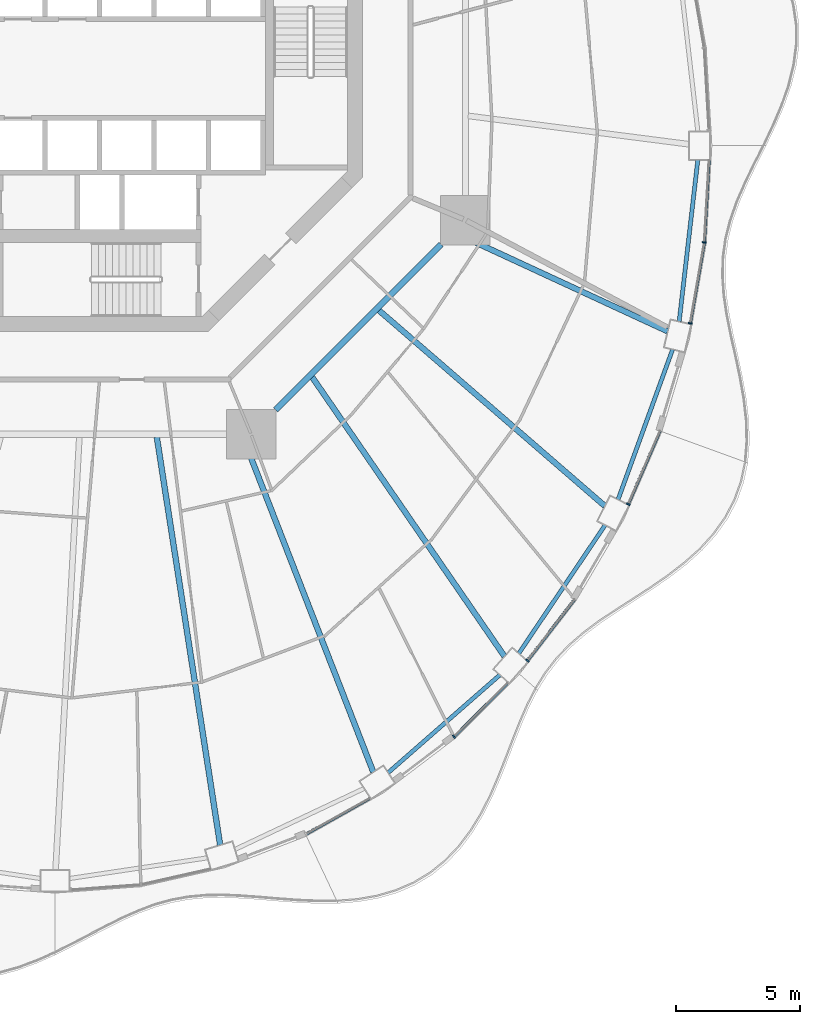
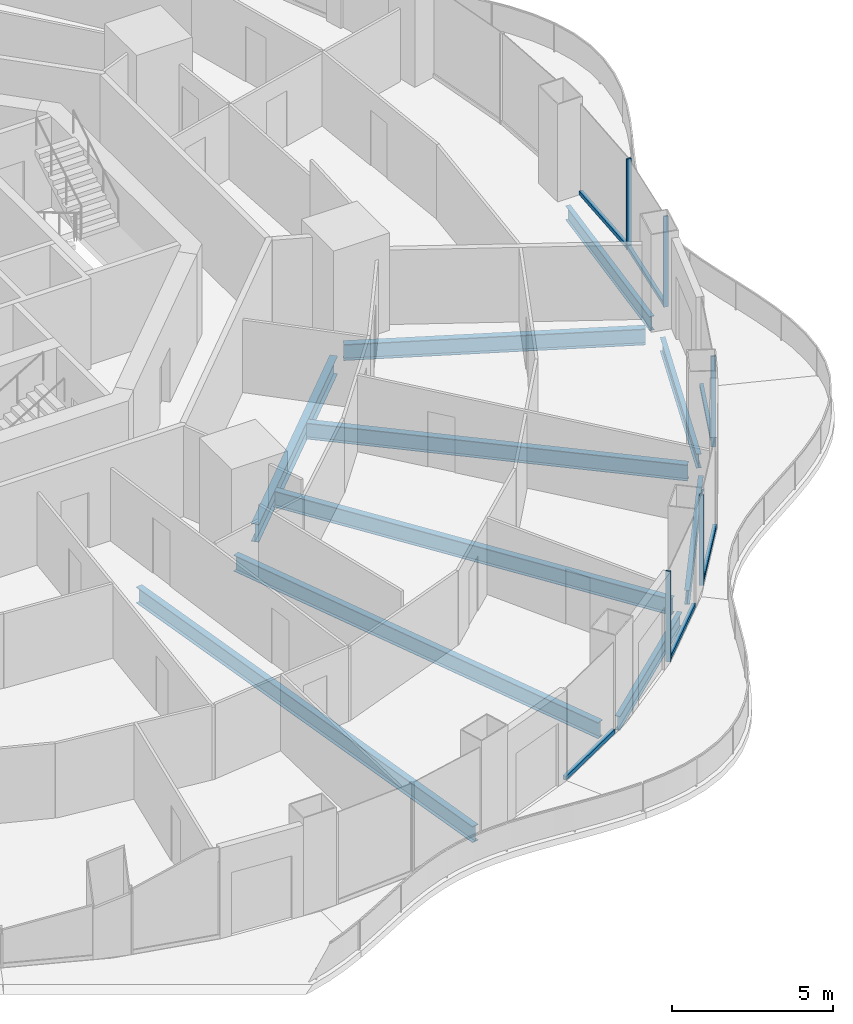
# One storey, part 5 of 20: 11 members, 10 beams, 6 elements without a shape of their own.
"""IFC4 building model written with IfcOpenShell, lengths in metres."""

from ifc_helpers import new_model, si_unit, direction, frame, origin, origin_2d, place, context, subcontext, project, spatial, rectangle, i_section, extrude, material, layer, layer_set, material_profile, profile_set, type_object, element, aggregate, save


model = new_model("IFC4")

# Units and contexts
model_context = context("Model", 3, precision=1e-05, world=origin(), true_north=direction((0.0, 1.0)))
body_context = subcontext(model_context, "Body", "Model", "MODEL_VIEW")
ifc_project = project(units=[si_unit("LENGTHUNIT", "METRE"), si_unit("AREAUNIT", "SQUARE_METRE"), si_unit("VOLUMEUNIT", "CUBIC_METRE"), si_unit("PLANEANGLEUNIT", "RADIAN"), si_unit("MASSUNIT", "GRAM", prefix="KILO")], contexts=[model_context])

# Site, building, storey
site_placement = place(None, origin())
site = spatial("IfcSite", under=ifc_project, at=site_placement, CompositionType="ELEMENT")
building_placement = place(site_placement, origin())
building = spatial("IfcBuilding", under=site, at=building_placement, Name="Nagisa Residences", CompositionType="ELEMENT")
storey_placement = place(building_placement, frame((0.0, 0.0, 141.800048828125)))
storey = spatial("IfcBuildingStorey", under=building, at=storey_placement, Name="L35", CompositionType="ELEMENT", Elevation=141.800048828125)

# Curtain wall, member
ifc_material_1 = material(Name="Concrete-coloured aluminium curtain wall system", Category="concrete")
ifc_layer = layer(ifc_material_1, 0.159912109375)
ifc_layer_set = layer_set([ifc_layer], Name="CW1 CURTAIN WALL")
curtain_wall_type = type_object("IfcCurtainWallType", Name="CW1 CURTAIN WALL", PredefinedType="NOTDEFINED", material=ifc_layer_set)
curtain_wall_1_placement = place(storey_placement, origin())
curtain_wall_1 = element("IfcCurtainWall", 1, at=curtain_wall_1_placement, inside=storey, type_object=curtain_wall_type, Name="cw:CW1:L35:41", PredefinedType="NOTDEFINED")
ifc_material_2 = material(Name="Concrete-coloured aluminium", Category="concrete")
ifc_material_profile_1 = material_profile(ifc_material_2, rectangle(XDim=0.159912109375, YDim=0.06005859375, at=origin_2d()), Name="CW1 MULLION 160x60")
ifc_profile_set_1 = profile_set([ifc_material_profile_1], Name="Concrete-coloured aluminium")
member_type_1 = type_object("IfcMemberType", Name="CW1 MULLION 160x60", PredefinedType="MULLION", material=ifc_profile_set_1)
member_1_placement = place(storey_placement, frame((14.318115234375, -26.9951171875, 0.0), z_axis=(0.0, 0.0, 1.0), x_axis=(-0.706376885714, 0.707835924016, 0.0)))
member_1 = element("IfcMember", 2, at=member_1_placement, type_object=member_type_1, Name="CW1 mullion", PredefinedType="MULLION", context=body_context, shape_type="SweptSolid", body=[
    extrude(rectangle(XDim=0.159912109375, YDim=0.06005859375, at=origin_2d()), origin(), (0.0, 0.0, 1.0), 3.43994140625),
])

curtain_wall_2_placement = place(storey_placement, origin())
curtain_wall_2 = element("IfcCurtainWall", 3, at=curtain_wall_2_placement, inside=storey, type_object=curtain_wall_type, Name="cw:CW1:L35:42", PredefinedType="NOTDEFINED")
member_2_placement = place(storey_placement, frame((17.2841796875, -23.9208984375, 0.0), z_axis=(0.0, 0.0, 1.0), x_axis=(-0.792070340816, 0.610429828235, 0.0)))
member_2 = element("IfcMember", 4, at=member_2_placement, type_object=member_type_1, Name="CW1 mullion", PredefinedType="MULLION", context=body_context, shape_type="SweptSolid", body=[
    extrude(rectangle(XDim=0.159912109375, YDim=0.06005859375, at=origin_2d()), origin(), (0.0, 0.0, 1.0), 3.43994140625),
])

curtain_wall_3_placement = place(storey_placement, origin())
curtain_wall_3 = element("IfcCurtainWall", 5, at=curtain_wall_3_placement, inside=storey, type_object=curtain_wall_type, Name="cw:CW1:L35:44", PredefinedType="NOTDEFINED")
member_3_placement = place(storey_placement, frame((21.357177734375, -17.605224609375, 0.0), z_axis=(0.0, 0.0, 1.0), x_axis=(-0.917543276295, 0.397635934147, 0.0)))
member_3 = element("IfcMember", 6, at=member_3_placement, type_object=member_type_1, Name="CW1 mullion", PredefinedType="MULLION", context=body_context, shape_type="SweptSolid", body=[
    extrude(rectangle(XDim=0.159912109375, YDim=0.06005859375, at=origin_2d()), origin(), (0.0, 0.0, 1.0), 3.43994140625),
])

curtain_wall_4_placement = place(storey_placement, origin())
curtain_wall_4 = element("IfcCurtainWall", 7, at=curtain_wall_4_placement, inside=storey, type_object=curtain_wall_type, Name="cw:CW1:L35:46", PredefinedType="NOTDEFINED")
member_4_placement = place(storey_placement, frame((23.860595703125, -10.29833984375, 0.0), z_axis=(0.0, 0.0, 1.0), x_axis=(-0.985063604377, 0.172190868898, 0.0)))
member_4 = element("IfcMember", 8, at=member_4_placement, type_object=member_type_1, Name="CW1 mullion", PredefinedType="MULLION", context=body_context, shape_type="SweptSolid", body=[
    extrude(rectangle(XDim=0.159912109375, YDim=0.06005859375, at=origin_2d()), origin(), (0.0, 0.0, 1.0), 3.43994140625),
])

curtain_wall_5_placement = place(storey_placement, origin())
curtain_wall_5 = element("IfcCurtainWall", 9, at=curtain_wall_5_placement, inside=storey, type_object=curtain_wall_type, Name="cw:CW1:L35:47", PredefinedType="NOTDEFINED")
member_5_placement = place(storey_placement, frame((24.429931640625, -7.0244140625, 0.0), z_axis=(0.0, 0.0, 1.0), x_axis=(-0.998345305184, 0.057503492216, 0.0)))
member_5 = element("IfcMember", 10, at=member_5_placement, type_object=member_type_1, Name="CW1 mullion", PredefinedType="MULLION", context=body_context, shape_type="SweptSolid", body=[
    extrude(rectangle(XDim=0.159912109375, YDim=0.06005859375, at=origin_2d()), origin(), (0.0, 0.0, 1.0), 3.43994140625),
])

curtain_wall_6_placement = place(storey_placement, origin())
curtain_wall_6 = element("IfcCurtainWall", 11, at=curtain_wall_6_placement, inside=storey, type_object=curtain_wall_type, Name="cw:CW1:L35:39", PredefinedType="NOTDEFINED")
ifc_material_3 = material(Name="Concrete-coloured aluminium", Category="concrete")
ifc_material_profile_2 = material_profile(ifc_material_3, rectangle(XDim=0.1201171875, YDim=0.14990234375, at=origin_2d()), Name="CW1 TRANSOM 120x150")
ifc_profile_set_2 = profile_set([ifc_material_profile_2], Name="Concrete-coloured aluminium")
member_type_2 = type_object("IfcMemberType", Name="CW1 TRANSOM 120x150", PredefinedType="USERDEFINED", material=ifc_profile_set_2)
member_6_placement = place(storey_placement, frame((8.3154296875, -30.944580078125, 0.074951171875), z_axis=(0.87204719449, 0.4894217921, 0.0), x_axis=(-0.4894217921, 0.87204719449, 0.0)))
member_6 = element("IfcMember", 12, at=member_6_placement, type_object=member_type_2, Name="CW1 transom", ObjectType="TRANSOM", PredefinedType="USERDEFINED", context=body_context, shape_type="SweptSolid", body=[
    extrude(rectangle(XDim=0.1201171875, YDim=0.14990234375, at=origin_2d()), origin(), (0.0, 0.0, 1.0), 2.969482421875),
])
aggregate(curtain_wall_6, [member_6])

# Member
member_7_placement = place(storey_placement, frame((14.296875, -27.016357421875, 0.074951171875), z_axis=(0.707857739375, 0.706355024621, 0.0), x_axis=(-0.706355024621, 0.707857739375, 0.0)))
member_7 = element("IfcMember", 13, at=member_7_placement, type_object=member_type_2, Name="CW1 transom", ObjectType="TRANSOM", PredefinedType="USERDEFINED", context=body_context, shape_type="SweptSolid", body=[
    extrude(rectangle(XDim=0.1201171875, YDim=0.14990234375, at=origin_2d()), origin(), (0.0, 0.0, 1.0), 3.0869140625),
])

aggregate(curtain_wall_1, [member_1, member_7])

member_8_placement = place(storey_placement, frame((17.265869140625, -23.94482421875, 0.074951171875), z_axis=(0.610429847179, 0.792070326217, 0.0), x_axis=(-0.792070326217, 0.610429847179, 0.0)))
member_8 = element("IfcMember", 14, at=member_8_placement, type_object=member_type_2, Name="CW1 transom", ObjectType="TRANSOM", PredefinedType="USERDEFINED", context=body_context, shape_type="SweptSolid", body=[
    extrude(rectangle(XDim=0.1201171875, YDim=0.14990234375, at=origin_2d()), origin(), (0.0, 0.0, 1.0), 3.149169921875),
])

aggregate(curtain_wall_2, [member_2, member_8])

member_9_placement = place(storey_placement, frame((21.34521484375, -17.6328125, 0.074951171875), z_axis=(0.397666272939, 0.917530127771, 0.0), x_axis=(-0.917530127771, 0.397666272939, 0.0)))
member_9 = element("IfcMember", 15, at=member_9_placement, type_object=member_type_2, Name="CW1 transom", ObjectType="TRANSOM", PredefinedType="USERDEFINED", context=body_context, shape_type="SweptSolid", body=[
    extrude(rectangle(XDim=0.1201171875, YDim=0.14990234375, at=origin_2d()), origin(), (0.0, 0.0, 1.0), 3.260498046875),
])

aggregate(curtain_wall_3, [member_3, member_9])

member_10_placement = place(storey_placement, frame((23.85546875, -10.327880859375, 0.074951171875), z_axis=(0.172163521006, 0.985068384446, 0.0), x_axis=(-0.985068384446, 0.172163521006, 0.0)))
member_10 = element("IfcMember", 16, at=member_10_placement, type_object=member_type_2, Name="CW1 transom", ObjectType="TRANSOM", PredefinedType="USERDEFINED", context=body_context, shape_type="SweptSolid", body=[
    extrude(rectangle(XDim=0.1201171875, YDim=0.14990234375, at=origin_2d()), origin(), (0.0, 0.0, 1.0), 3.33251953125),
])

aggregate(curtain_wall_4, [member_4, member_10])

member_11_placement = place(storey_placement, frame((24.42822265625, -7.054443359375, 0.074951171875), z_axis=(0.05746514539, 0.998347513176, 0.0), x_axis=(-0.998347513176, 0.05746514539, 0.0)))
member_11 = element("IfcMember", 17, at=member_11_placement, type_object=member_type_2, Name="CW1 transom", ObjectType="TRANSOM", PredefinedType="USERDEFINED", context=body_context, shape_type="SweptSolid", body=[
    extrude(rectangle(XDim=0.1201171875, YDim=0.14990234375, at=origin_2d()), origin(), (0.0, 0.0, 1.0), 3.347900390625),
])

aggregate(curtain_wall_5, [member_5, member_11])

# Beams
ifc_material_4 = material(Name="Steel ASTM A572 Gr 50", Category="steel")
ifc_material_profile_3 = material_profile(ifc_material_4, i_section(OverallWidth=0.25390625, OverallDepth=0.68408203125, WebThickness=0.012451171875, FlangeThickness=0.018798828125, at=origin_2d()), Name="W690x140")
ifc_profile_set_3 = profile_set([ifc_material_profile_3], Name="Steel ASTM A572 Gr 50")
beam_type_1 = type_object("IfcBeamType", Name="Inner ring beam W690x140", PredefinedType="BEAM", material=ifc_profile_set_3)
beam_1_placement = place(storey_placement, frame((7.10888671875, -13.796142578125, -0.60205078125), z_axis=(0.707106781187, 0.707106781187, 0.0), x_axis=(-0.707106781187, 0.707106781187, 0.0)))
element("IfcBeam", 18, at=beam_1_placement, inside=storey, type_object=beam_type_1, Name="beam:L35:ib7", PredefinedType="BEAM", context=body_context, shape_type="SweptSolid", body=[
    extrude(i_section(OverallWidth=0.25390625, OverallDepth=0.68408203125, WebThickness=0.012451171875, FlangeThickness=0.018798828125, at=origin_2d()), origin(), (0.0, 0.0, 1.0), 9.457275390625),
])
ifc_material_5 = material(Name="Steel ASTM A572 Gr 50", Category="steel")
ifc_material_profile_4 = material_profile(ifc_material_5, i_section(OverallWidth=0.166015625, OverallDepth=0.534912109375, WebThickness=0.01025390625, FlangeThickness=0.0166015625, at=origin_2d()), Name="W530x85")
ifc_profile_set_4 = profile_set([ifc_material_profile_4], Name="Steel ASTM A572 Gr 50")
beam_type_2 = type_object("IfcBeamType", Name="Perimeter ring beam W530x85", PredefinedType="BEAM", material=ifc_profile_set_4)
beam_2_placement = place(storey_placement, frame((11.658203125, -28.448486328125, -0.527587890625), z_axis=(0.75252371036, 0.658565156493, 0.0), x_axis=(-0.658565156493, 0.75252371036, 0.0)))
element("IfcBeam", 19, at=beam_2_placement, inside=storey, type_object=beam_type_2, Name="beam:L35:pb21", PredefinedType="BEAM", context=body_context, shape_type="SweptSolid", body=[
    extrude(i_section(OverallWidth=0.166015625, OverallDepth=0.534912109375, WebThickness=0.01025390625, FlangeThickness=0.0166015625, at=origin_2d()), origin(), (0.0, 0.0, 1.0), 5.994384765625),
])
beam_3_placement = place(storey_placement, frame((16.93603515625, -23.6298828125, -0.527587890625), z_axis=(0.558187951157, 0.82971453596, 0.0), x_axis=(-0.82971453596, 0.558187951157, 0.0)))
element("IfcBeam", 20, at=beam_3_placement, inside=storey, type_object=beam_type_2, Name="beam:L35:pb22", PredefinedType="BEAM", context=body_context, shape_type="SweptSolid", body=[
    extrude(i_section(OverallWidth=0.166015625, OverallDepth=0.534912109375, WebThickness=0.01025390625, FlangeThickness=0.0166015625, at=origin_2d()), origin(), (0.0, 0.0, 1.0), 6.24267578125),
])
beam_4_placement = place(storey_placement, frame((20.946533203125, -17.415771484375, -0.527587890625), z_axis=(0.341332802315, 0.93994250785, 0.0), x_axis=(-0.93994250785, 0.341332802315, 0.0)))
element("IfcBeam", 21, at=beam_4_placement, inside=storey, type_object=beam_type_2, Name="beam:L35:pb23", PredefinedType="BEAM", context=body_context, shape_type="SweptSolid", body=[
    extrude(i_section(OverallWidth=0.166015625, OverallDepth=0.534912109375, WebThickness=0.01025390625, FlangeThickness=0.0166015625, at=origin_2d()), origin(), (0.0, 0.0, 1.0), 6.450927734375),
])
beam_5_placement = place(storey_placement, frame((23.414794921875, -10.22314453125, -0.527587890625), z_axis=(0.114660786771, 0.993404703017, 0.0), x_axis=(-0.993404703017, 0.114660786771, 0.0)))
element("IfcBeam", 22, at=beam_5_placement, inside=storey, type_object=beam_type_2, Name="beam:L35:pb24", PredefinedType="BEAM", context=body_context, shape_type="SweptSolid", body=[
    extrude(i_section(OverallWidth=0.166015625, OverallDepth=0.534912109375, WebThickness=0.01025390625, FlangeThickness=0.0166015625, at=origin_2d()), origin(), (0.0, 0.0, 1.0), 6.568603515625),
])
ifc_material_6 = material(Name="Steel ASTM A572 Gr 50", Category="steel")
ifc_material_profile_5 = material_profile(ifc_material_6, i_section(OverallWidth=0.22900390625, OverallDepth=0.612060546875, WebThickness=0.011962890625, FlangeThickness=0.01953125, at=origin_2d()), Name="W610x125")
ifc_profile_set_5 = profile_set([ifc_material_profile_5], Name="Steel ASTM A572 Gr 50")
beam_type_3 = type_object("IfcBeamType", Name="Radial beam W610x125", PredefinedType="BEAM", material=ifc_profile_set_5)
beam_6_placement = place(storey_placement, frame((4.87158203125, -31.371337890625, -0.566162109375), z_axis=(-0.153441816097, 0.988157684316, 0.0), x_axis=(-0.988157684316, -0.153441816097, 0.0)))
element("IfcBeam", 23, at=beam_6_placement, inside=storey, type_object=beam_type_3, Name="beam:L35:rb20", PredefinedType="BEAM", context=body_context, shape_type="SweptSolid", body=[
    extrude(i_section(OverallWidth=0.22900390625, OverallDepth=0.612060546875, WebThickness=0.011962890625, FlangeThickness=0.01953125, at=origin_2d()), origin(), (0.0, 0.0, 1.0), 16.679443359375),
])
beam_7_placement = place(storey_placement, frame((11.057861328125, -28.424072265625, -0.566162109375), z_axis=(-0.362553351511, 0.931963018208, 0.0), x_axis=(-0.931963018208, -0.362553351511, 0.0)))
element("IfcBeam", 24, at=beam_7_placement, inside=storey, type_object=beam_type_3, Name="beam:L35:rb21", PredefinedType="BEAM", context=body_context, shape_type="SweptSolid", body=[
    extrude(i_section(OverallWidth=0.22900390625, OverallDepth=0.612060546875, WebThickness=0.011962890625, FlangeThickness=0.01953125, at=origin_2d()), origin(), (0.0, 0.0, 1.0), 14.521728515625),
])
beam_8_placement = place(storey_placement, frame((16.357666015625, -23.74951171875, -0.566162109375), z_axis=(-0.567235127754, 0.823555893575, 0.0), x_axis=(-0.823555893575, -0.567235127754, 0.0)))
element("IfcBeam", 25, at=beam_8_placement, inside=storey, type_object=beam_type_3, Name="beam:L35:rb22", PredefinedType="BEAM", context=body_context, shape_type="SweptSolid", body=[
    extrude(i_section(OverallWidth=0.22900390625, OverallDepth=0.612060546875, WebThickness=0.011962890625, FlangeThickness=0.01953125, at=origin_2d()), origin(), (0.0, 0.0, 1.0), 13.697509765625),
])
beam_9_placement = place(storey_placement, frame((20.41162109375, -17.6748046875, -0.566162109375), z_axis=(-0.755973913649, 0.654601742957, 0.0), x_axis=(-0.654601742957, -0.755973913649, 0.0)))
element("IfcBeam", 26, at=beam_9_placement, inside=storey, type_object=beam_type_3, Name="beam:L35:rb23", PredefinedType="BEAM", context=body_context, shape_type="SweptSolid", body=[
    extrude(i_section(OverallWidth=0.22900390625, OverallDepth=0.612060546875, WebThickness=0.011962890625, FlangeThickness=0.01953125, at=origin_2d()), origin(), (0.0, 0.0, 1.0), 12.072998046875),
])
beam_10_placement = place(storey_placement, frame((22.94921875, -10.618896484375, -0.566162109375), z_axis=(-0.907551024181, 0.419941827528, 0.0), x_axis=(-0.419941827528, -0.907551024181, 0.0)))
element("IfcBeam", 27, at=beam_10_placement, inside=storey, type_object=beam_type_3, Name="beam:L35:rb24", PredefinedType="BEAM", context=body_context, shape_type="SweptSolid", body=[
    extrude(i_section(OverallWidth=0.22900390625, OverallDepth=0.612060546875, WebThickness=0.011962890625, FlangeThickness=0.01953125, at=origin_2d()), origin(), (0.0, 0.0, 1.0), 9.424072265625),
])

save(model, "model.ifc")
